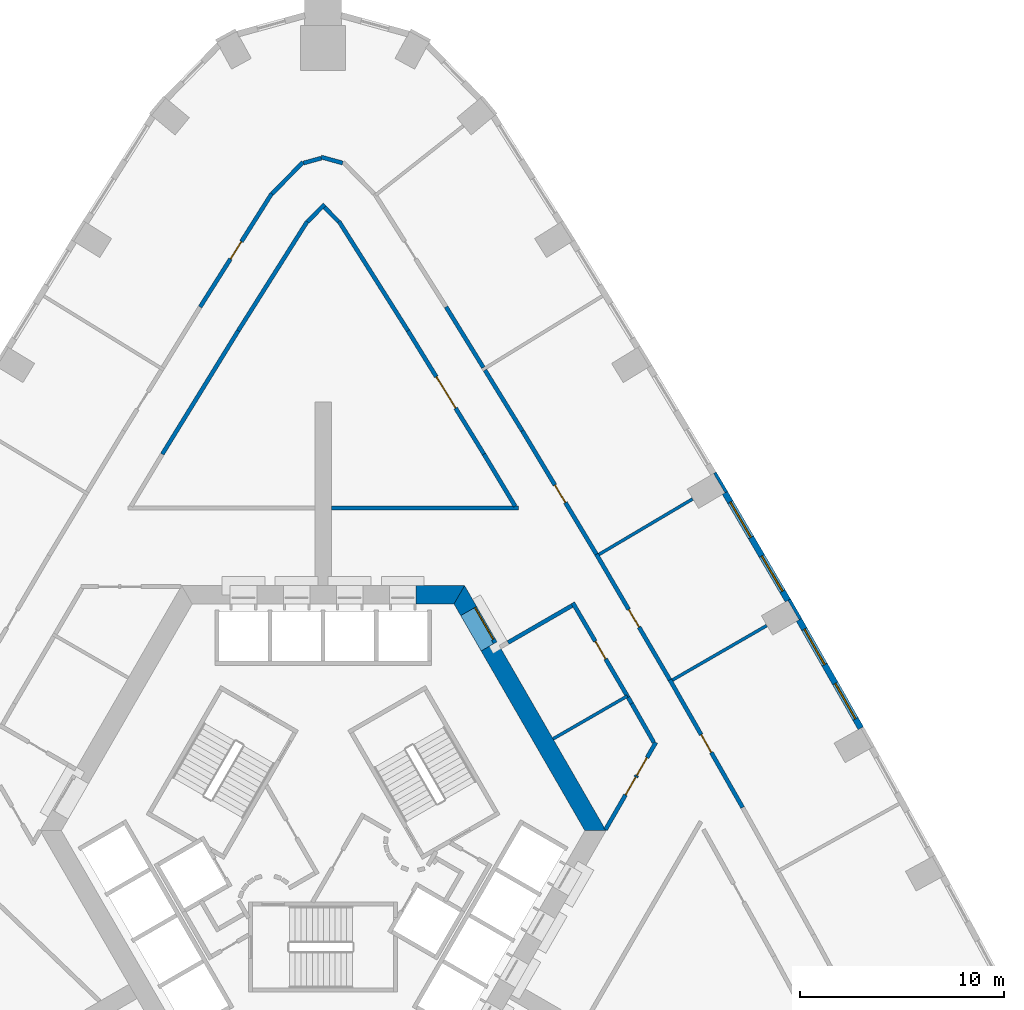
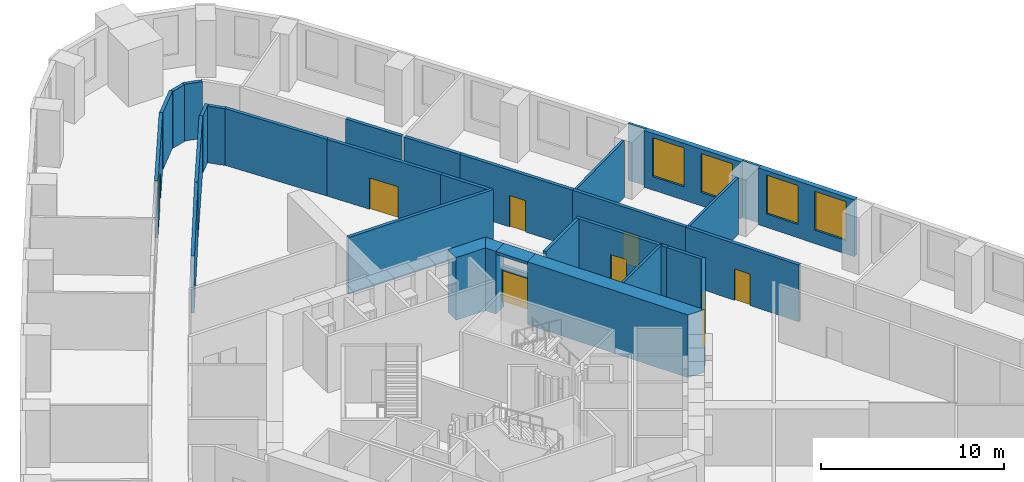
# One storey, part 10 of 14: 34 walls, 9 doors, 4 windows, 13 openings.
"""IFC4 building model written with IfcOpenShell, lengths in metres."""

from ifc_helpers import new_model, si_unit, direction, frame, frame_2d, origin, place, context, subcontext, project, spatial, polyline, rectangle, outline, extrude, material, layer, layer_set, type_object, element, fill, save


model = new_model("IFC4")

# Units and contexts
model_context = context("Model", 3, precision=1e-05, world=origin(), true_north=direction((0.0, 1.0)))
body_context = subcontext(model_context, "Body", "Model", "MODEL_VIEW")
ifc_project = project(units=[si_unit("LENGTHUNIT", "METRE"), si_unit("AREAUNIT", "SQUARE_METRE"), si_unit("VOLUMEUNIT", "CUBIC_METRE"), si_unit("PLANEANGLEUNIT", "RADIAN"), si_unit("MASSUNIT", "GRAM", prefix="KILO")], contexts=[model_context])

# Site, building, storey
site_placement = place(None, origin())
site = spatial("IfcSite", under=ifc_project, at=site_placement, CompositionType="ELEMENT")
building_placement = place(site_placement, origin())
building = spatial("IfcBuilding", under=site, at=building_placement, Name="Entoto Arch Interchange Tower", CompositionType="ELEMENT")
storey_placement = place(building_placement, frame((0.0, 0.0, 103.39990234375)))
storey = spatial("IfcBuildingStorey", under=building, at=storey_placement, Name="L22", CompositionType="ELEMENT", Elevation=103.39990234375)

# Wall, opening, door
ifc_material_1 = material(Name="Reinforced concrete C40/50", Category="concrete")
ifc_layer_1 = layer(ifc_material_1, 0.199951171875)
ifc_layer_set_1 = layer_set([ifc_layer_1], Name="Reinforced concrete C40/50")
wall_type_1 = type_object("IfcWallType", Name="CORE GAP INFILL WALL", PredefinedType="PARTITIONING", material=ifc_layer_set_1)
wall_1_placement = place(storey_placement, frame((8.429931640625, 11.697998046875, 0.0), z_axis=(0.0, 0.0, 1.0), x_axis=(-0.50002537861, 0.866010750942, 0.0)))
wall_1 = element("IfcWall", 1, at=wall_1_placement, inside=storey, type_object=wall_type_1, Name="wall:L22:gap2", PredefinedType="PARTITIONING", context=body_context, shape_type="SweptSolid", body=[
    extrude(rectangle(XDim=2.0, YDim=0.199951171875, at=frame_2d((1.0, 0.0))), origin(), (0.0, 0.0, 1.0), 2.400146484375),
])
opening_1_placement = place(wall_1_placement, frame((0.18994140625, 0.0, 0.0)))
opening_1 = element("IfcOpeningElement", 2, at=opening_1_placement, cuts=wall_1, Name="Opening L22-D92", PredefinedType="OPENING", context=body_context, shape_type="SweptSolid", body=[
    extrude(rectangle(XDim=1.800048828125, YDim=2.10009765625, at=frame_2d((0.89990234375, 1.050048828125))), frame((0.0, 0.10986328125, 0.0), z_axis=(0.0, -1.0, 0.0), x_axis=(1.0, 0.0, 0.0)), (0.0, 0.0, 1.0), 0.219970703125),
])
ifc_material_2 = material(Name="Fire-rated Steel S235 door and frame", Category="steel")
door_type_1 = type_object("IfcDoorType", Name="DOOR FD-18 1800x2100", OperationType="DOUBLE_DOOR_SINGLE_SWING", PredefinedType="DOOR", material=ifc_material_2)
door_1_placement = place(opening_1_placement, origin())
door_1 = element("IfcDoor", 3, at=door_1_placement, inside=storey, type_object=door_type_1, Name="door:L22:gap2", OperationType="DOUBLE_DOOR_SINGLE_SWING", OverallHeight=2.10009765625, OverallWidth=1.800048828125, PredefinedType="DOOR", context=body_context, shape_type="SweptSolid", body=[
    extrude(rectangle(XDim=1.800048828125, YDim=2.10009765625, at=frame_2d((0.89990234375, 1.050048828125))), frame((0.0, 0.02490234375, 0.0), z_axis=(0.0, -1.0, 0.0), x_axis=(1.0, 0.0, 0.0)), (0.0, 0.0, 1.0), 0.050048828125),
])
fill(opening_1, door_1)

# Walls
ifc_material_3 = material(Name="Concrete C60/75", Category="concrete")
ifc_layer_2 = layer(ifc_material_3, 0.89990234375)
ifc_layer_set_2 = layer_set([ifc_layer_2], Name="Concrete C60/75")
wall_type_2 = type_object("IfcWallType", Name="Core wall 900 C60/75", PredefinedType="SHEAR", material=ifc_layer_set_2)
wall_2_placement = place(storey_placement, frame((0.0, 0.0, -0.39990234375)))
element("IfcWall", 4, at=wall_2_placement, inside=storey, type_object=wall_type_2, Name="Core wall NE L22", PredefinedType="SHEAR", context=body_context, shape_type="SweptSolid", body=[
    extrude(outline(polyline([(8.51708984375, 11.748046875), (7.738037109375, 11.298095703125), (12.81689453125, 2.5), (13.85595703125, 2.5), (8.51708984375, 11.748046875)])), origin(), (0.0, 0.0, 1.0), 4.199951171875),
])
wall_3_placement = place(storey_placement, frame((0.0, 0.0, -0.39990234375)))
element("IfcWall", 5, at=wall_3_placement, inside=storey, type_object=wall_type_2, Name="Core wall NE L22", PredefinedType="SHEAR", context=body_context, shape_type="SweptSolid", body=[
    extrude(outline(polyline([(6.738037109375, 13.030029296875), (7.51708984375, 13.47998046875), (6.927978515625, 14.5), (6.408935546875, 13.60009765625), (6.738037109375, 13.030029296875)])), origin(), (0.0, 0.0, 1.0), 4.199951171875),
])
wall_4_placement = place(storey_placement, frame((0.0, 0.0, 3.60009765625)))
element("IfcWall", 6, at=wall_4_placement, inside=storey, type_object=wall_type_2, Name="Core wall lintel NE L22", PredefinedType="SHEAR", context=body_context, shape_type="SweptSolid", body=[
    extrude(outline(polyline([(7.51708984375, 13.47998046875), (6.738037109375, 13.030029296875), (7.738037109375, 11.298095703125), (8.51708984375, 11.748046875), (7.51708984375, 13.47998046875)])), origin(), (0.0, 0.0, 1.0), 0.199951171875),
])
wall_5_placement = place(storey_placement, frame((0.0, 0.0, -0.39990234375)))
element("IfcWall", 7, at=wall_5_placement, inside=storey, type_object=wall_type_2, Name="Core wall N L22", PredefinedType="SHEAR", context=body_context, shape_type="SweptSolid", body=[
    extrude(outline(polyline([(4.550048828125, 14.5), (4.550048828125, 13.60009765625), (6.408935546875, 13.60009765625), (6.927978515625, 14.5), (4.550048828125, 14.5)])), origin(), (0.0, 0.0, 1.0), 4.199951171875),
])
ifc_material_4 = material(Name="Gypsum board partition on steel studs", Category="steel")
ifc_layer_3 = layer(ifc_material_4, 0.14990234375)
ifc_layer_set_3 = layer_set([ifc_layer_3], Name="Gypsum board partition on steel studs")
wall_type_3 = type_object("IfcWallType", Name="PARTITION 150", PredefinedType="PARTITIONING", material=ifc_layer_set_3)
wall_6_placement = place(storey_placement, frame((11.260986328125, 6.993896484375, 0.0), z_axis=(0.0, 0.0, 1.0), x_axis=(0.866037428454, 0.499979172084, 0.0)))
element("IfcWall", 8, at=wall_6_placement, inside=storey, type_object=wall_type_3, Name="wall:L22:p097", PredefinedType="PARTITIONING", context=body_context, shape_type="SweptSolid", body=[
    extrude(rectangle(XDim=4.198486328125, YDim=0.14990234375, at=frame_2d((2.09912109375, 0.0))), origin(), (0.0, 0.0, 1.0), 3.800048828125),
])
wall_7_placement = place(storey_placement, frame((17.10400390625, 9.875, 0.0), z_axis=(0.0, 0.0, 1.0), x_axis=(0.866024640963, 0.500001321243, 0.0)))
element("IfcWall", 9, at=wall_7_placement, inside=storey, type_object=wall_type_3, Name="wall:L22:p142", PredefinedType="PARTITIONING", context=body_context, shape_type="SweptSolid", body=[
    extrude(rectangle(XDim=5.330078125, YDim=0.14990234375, at=frame_2d((2.6650390625, 0.0))), origin(), (0.0, 0.0, 1.0), 3.800048828125),
])
wall_8_placement = place(storey_placement, frame((13.507080078125, 16.02490234375, 0.0), z_axis=(0.0, 0.0, 1.0), x_axis=(0.860289301319, 0.509806157315, 0.0)))
element("IfcWall", 10, at=wall_8_placement, inside=storey, type_object=wall_type_3, Name="wall:L22:p143", PredefinedType="PARTITIONING", context=body_context, shape_type="SweptSolid", body=[
    extrude(rectangle(XDim=5.32958984375, YDim=0.14990234375, at=frame_2d((2.664794921875, 0.0))), origin(), (0.0, 0.0, 1.0), 3.800048828125),
])
ifc_layer_4 = layer(ifc_material_4, 0.199951171875)
ifc_layer_set_4 = layer_set([ifc_layer_4], Name="Gypsum board partition on steel studs")
wall_type_4 = type_object("IfcWallType", Name="PARTITION 200", PredefinedType="PARTITIONING", material=ifc_layer_set_4)
wall_9_placement = place(storey_placement, frame((16.195068359375, 6.823974609375, 0.0), z_axis=(0.0, 0.0, 1.0), x_axis=(-0.494984897559, 0.868901577388, 0.0)))
element("IfcWall", 11, at=wall_9_placement, inside=storey, type_object=wall_type_4, Name="wall:L22:p005", PredefinedType="PARTITIONING", context=body_context, shape_type="SweptSolid", body=[
    extrude(rectangle(XDim=2.18798828125, YDim=0.199951171875, at=frame_2d((1.093994140625, 0.0))), origin(), (0.0, 0.0, 1.0), 3.800048828125),
])
wall_10_placement = place(storey_placement, frame((15.112060546875, 8.72509765625, 0.0), z_axis=(0.0, 0.0, 1.0), x_axis=(-0.50443330283, 0.86345066043, 0.0)))
element("IfcWall", 12, at=wall_10_placement, inside=storey, type_object=wall_type_4, Name="wall:L22:p006", PredefinedType="PARTITIONING", context=body_context, shape_type="SweptSolid", body=[
    extrude(rectangle(XDim=0.350830078125, YDim=0.199951171875, at=frame_2d((0.17529296875, 0.0))), origin(), (0.0, 0.0, 1.0), 3.800048828125),
])

# Wall, opening, door
wall_11_placement = place(storey_placement, frame((14.93505859375, 9.028076171875, 0.0), z_axis=(0.0, 0.0, 1.0), x_axis=(-0.504934493304, 0.863157666636, 0.0)))
wall_11 = element("IfcWall", 13, at=wall_11_placement, inside=storey, type_object=wall_type_4, Name="wall:L22:p007", PredefinedType="PARTITIONING", context=body_context, shape_type="SweptSolid", body=[
    extrude(rectangle(XDim=5.364990234375, YDim=0.199951171875, at=frame_2d((2.6826171875, 0.0))), origin(), (0.0, 0.0, 1.0), 3.800048828125),
])
opening_2_placement = place(wall_11_placement, frame((2.181884765625, 0.0, 0.0)))
opening_2 = element("IfcOpeningElement", 14, at=opening_2_placement, cuts=wall_11, Name="Opening L22-D35", PredefinedType="OPENING", context=body_context, shape_type="SweptSolid", body=[
    extrude(rectangle(XDim=1.0, YDim=2.10009765625, at=frame_2d((0.5, 1.050048828125))), frame((0.0, 0.10986328125, 0.0), z_axis=(0.0, -1.0, 0.0), x_axis=(1.0, 0.0, 0.0)), (0.0, 0.0, 1.0), 0.219970703125),
])
ifc_material_5 = material(Name="Timber door leaf in Steel S235 frame", Category="steel")
door_type_2 = type_object("IfcDoorType", Name="DOOR DS-10 1000x2100", OperationType="SINGLE_SWING_LEFT", PredefinedType="DOOR", material=ifc_material_5)
door_2_placement = place(opening_2_placement, origin())
door_2 = element("IfcDoor", 15, at=door_2_placement, inside=storey, type_object=door_type_2, Name="door:L22:35", OperationType="SINGLE_SWING_LEFT", OverallHeight=2.10009765625, OverallWidth=1.0, PredefinedType="DOOR", context=body_context, shape_type="SweptSolid", body=[
    extrude(rectangle(XDim=1.0, YDim=2.10009765625, at=frame_2d((0.5, 1.050048828125))), frame((0.0, 0.02490234375, 0.0), z_axis=(0.0, -1.0, 0.0), x_axis=(1.0, 0.0, 0.0)), (0.0, 0.0, 1.0), 0.050048828125),
])
fill(opening_2, door_2)

# Walls
wall_12_placement = place(storey_placement, frame((12.18994140625, 13.52197265625, 0.0), z_axis=(0.0, 0.0, 1.0), x_axis=(-0.866000156139, -0.500043727655, 0.0)))
element("IfcWall", 16, at=wall_12_placement, inside=storey, type_object=wall_type_4, Name="wall:L22:p008", PredefinedType="PARTITIONING", context=body_context, shape_type="SweptSolid", body=[
    extrude(rectangle(XDim=3.617919921875, YDim=0.199951171875, at=frame_2d((1.80908203125, 0.0))), origin(), (0.0, 0.0, 1.0), 3.800048828125),
])
wall_13_placement = place(storey_placement, frame((9.406982421875, 18.385986328125, 0.0), z_axis=(0.0, 0.0, 1.0), x_axis=(-0.514399309837, 0.857550785691, 0.0)))
element("IfcWall", 17, at=wall_13_placement, inside=storey, type_object=wall_type_4, Name="wall:L22:p009", PredefinedType="PARTITIONING", context=body_context, shape_type="SweptSolid", body=[
    extrude(rectangle(XDim=2.978271484375, YDim=0.199951171875, at=frame_2d((1.4892578125, 0.0))), origin(), (0.0, 0.0, 1.0), 3.800048828125),
])

# Wall, opening, door
wall_14_placement = place(storey_placement, frame((7.875, 20.93994140625, 0.0), z_axis=(0.0, 0.0, 1.0), x_axis=(-0.524183774504, 0.851605172921, 0.0)))
wall_14 = element("IfcWall", 18, at=wall_14_placement, inside=storey, type_object=wall_type_4, Name="wall:L22:p010", PredefinedType="PARTITIONING", context=body_context, shape_type="SweptSolid", body=[
    extrude(rectangle(XDim=7.0986328125, YDim=0.199951171875, at=frame_2d((3.54931640625, 0.0))), origin(), (0.0, 0.0, 1.0), 3.800048828125),
])
opening_3_placement = place(wall_14_placement, frame((2.64892578125, 0.0, 0.0)))
opening_3 = element("IfcOpeningElement", 19, at=opening_3_placement, cuts=wall_14, Name="Opening L22-D25", PredefinedType="OPENING", context=body_context, shape_type="SweptSolid", body=[
    extrude(rectangle(XDim=1.800048828125, YDim=2.10009765625, at=frame_2d((0.89990234375, 1.050048828125))), frame((0.0, 0.10986328125, 0.0), z_axis=(0.0, -1.0, 0.0), x_axis=(1.0, 0.0, 0.0)), (0.0, 0.0, 1.0), 0.219970703125),
])
door_type_3 = type_object("IfcDoorType", Name="DOOR DD-18 1800x2100", OperationType="DOUBLE_DOOR_SINGLE_SWING", PredefinedType="DOOR", material=ifc_material_5)
door_3_placement = place(opening_3_placement, origin())
door_3 = element("IfcDoor", 20, at=door_3_placement, inside=storey, type_object=door_type_3, Name="door:L22:25", OperationType="DOUBLE_DOOR_SINGLE_SWING", OverallHeight=2.10009765625, OverallWidth=1.800048828125, PredefinedType="DOOR", context=body_context, shape_type="SweptSolid", body=[
    extrude(rectangle(XDim=1.800048828125, YDim=2.10009765625, at=frame_2d((0.89990234375, 1.050048828125))), frame((0.0, 0.02490234375, 0.0), z_axis=(0.0, -1.0, 0.0), x_axis=(1.0, 0.0, 0.0)), (0.0, 0.0, 1.0), 0.050048828125),
])
fill(opening_3, door_3)

# Walls
wall_15_placement = place(storey_placement, frame((4.154052734375, 26.985107421875, 0.0), z_axis=(0.0, 0.0, 1.0), x_axis=(-0.53384777413, 0.84558060175, 0.0)))
element("IfcWall", 21, at=wall_15_placement, inside=storey, type_object=wall_type_4, Name="wall:L22:p011", PredefinedType="PARTITIONING", context=body_context, shape_type="SweptSolid", body=[
    extrude(rectangle(XDim=6.32568359375, YDim=0.199951171875, at=frame_2d((3.162841796875, 0.0))), origin(), (0.0, 0.0, 1.0), 3.800048828125),
])
wall_16_placement = place(storey_placement, frame((0.760009765625, 32.321044921875, 0.0), z_axis=(0.0, 0.0, 1.0), x_axis=(-0.698898447714, 0.715220916769, 0.0)))
element("IfcWall", 22, at=wall_16_placement, inside=storey, type_object=wall_type_4, Name="wall:L22:p012", PredefinedType="PARTITIONING", context=body_context, shape_type="SweptSolid", body=[
    extrude(rectangle(XDim=0.9873046875, YDim=0.199951171875, at=frame_2d((0.49365234375, 0.0))), origin(), (0.0, 0.0, 1.0), 3.800048828125),
])
wall_17_placement = place(storey_placement, frame((0.070068359375, 33.169921875, 0.0), z_axis=(0.0, 0.0, 1.0), x_axis=(-0.699145664909, -0.714979257908, 0.0)))
element("IfcWall", 23, at=wall_17_placement, inside=storey, type_object=wall_type_4, Name="wall:L22:p013", PredefinedType="PARTITIONING", context=body_context, shape_type="SweptSolid", body=[
    extrude(rectangle(XDim=1.187255859375, YDim=0.199951171875, at=frame_2d((0.59375, 0.0))), origin(), (0.0, 0.0, 1.0), 3.800048828125),
])
wall_18_placement = place(storey_placement, frame((-0.777099609375, 32.333984375, 0.0), z_axis=(0.0, 0.0, 1.0), x_axis=(-0.53384777413, -0.84558060175, 0.0)))
element("IfcWall", 24, at=wall_18_placement, inside=storey, type_object=wall_type_4, Name="wall:L22:p014", PredefinedType="PARTITIONING", context=body_context, shape_type="SweptSolid", body=[
    extrude(rectangle(XDim=6.32568359375, YDim=0.199951171875, at=frame_2d((3.162841796875, 0.0))), origin(), (0.0, 0.0, 1.0), 3.800048828125),
])
wall_19_placement = place(storey_placement, frame((-4.154052734375, 26.985107421875, 0.0), z_axis=(0.0, 0.0, 1.0), x_axis=(-0.524183774504, -0.851605172921, 0.0)))
element("IfcWall", 25, at=wall_19_placement, inside=storey, type_object=wall_type_4, Name="wall:L22:p015", PredefinedType="PARTITIONING", context=body_context, shape_type="SweptSolid", body=[
    extrude(rectangle(XDim=7.0986328125, YDim=0.199951171875, at=frame_2d((3.54931640625, 0.0))), origin(), (0.0, 0.0, 1.0), 3.800048828125),
])

# Wall, opening, door
wall_20_placement = place(storey_placement, frame((16.97998046875, 9.889892578125, 0.0), z_axis=(0.0, 0.0, 1.0), x_axis=(0.495123170501, -0.868822793228, 0.0)))
wall_20 = element("IfcWall", 26, at=wall_20_placement, inside=storey, type_object=wall_type_4, Name="wall:L22:p052", PredefinedType="PARTITIONING", context=body_context, shape_type="SweptSolid", body=[
    extrude(rectangle(XDim=7.1982421875, YDim=0.199951171875, at=frame_2d((3.59912109375, 0.0))), origin(), (0.0, 0.0, 1.0), 3.800048828125),
])
opening_4_placement = place(wall_20_placement, frame((3.09912109375, 0.0, 0.0)))
opening_4 = element("IfcOpeningElement", 27, at=opening_4_placement, cuts=wall_20, Name="Opening L22-D06", PredefinedType="OPENING", context=body_context, shape_type="SweptSolid", body=[
    extrude(rectangle(XDim=1.0, YDim=2.10009765625, at=frame_2d((0.5, 1.050048828125))), frame((0.0, 0.10986328125, 0.0), z_axis=(0.0, -1.0, 0.0), x_axis=(1.0, 0.0, 0.0)), (0.0, 0.0, 1.0), 0.219970703125),
])
door_4_placement = place(opening_4_placement, origin())
door_4 = element("IfcDoor", 28, at=door_4_placement, inside=storey, type_object=door_type_2, Name="door:L22:06", OperationType="SINGLE_SWING_LEFT", OverallHeight=2.10009765625, OverallWidth=1.0, PredefinedType="DOOR", context=body_context, shape_type="SweptSolid", body=[
    extrude(rectangle(XDim=1.0, YDim=2.10009765625, at=frame_2d((0.5, 1.050048828125))), frame((0.0, 0.02490234375, 0.0), z_axis=(0.0, -1.0, 0.0), x_axis=(1.0, 0.0, 0.0)), (0.0, 0.0, 1.0), 0.050048828125),
])
fill(opening_4, door_4)

wall_21_placement = place(storey_placement, frame((13.383056640625, 16.0390625, 0.0), z_axis=(0.0, 0.0, 1.0), x_axis=(0.504806221623, -0.863232690884, 0.0)))
wall_21 = element("IfcWall", 29, at=wall_21_placement, inside=storey, type_object=wall_type_4, Name="wall:L22:p054", PredefinedType="PARTITIONING", context=body_context, shape_type="SweptSolid", body=[
    extrude(rectangle(XDim=7.12353515625, YDim=0.199951171875, at=frame_2d((3.561767578125, 0.0))), origin(), (0.0, 0.0, 1.0), 3.800048828125),
])
opening_5_placement = place(wall_21_placement, frame((3.136962890625, 0.0, 0.0)))
opening_5 = element("IfcOpeningElement", 30, at=opening_5_placement, cuts=wall_21, Name="Opening L22-D07", PredefinedType="OPENING", context=body_context, shape_type="SweptSolid", body=[
    extrude(rectangle(XDim=1.0, YDim=2.10009765625, at=frame_2d((0.5, 1.050048828125))), frame((0.0, 0.10986328125, 0.0), z_axis=(0.0, -1.0, 0.0), x_axis=(1.0, 0.0, 0.0)), (0.0, 0.0, 1.0), 0.219970703125),
])
door_5_placement = place(opening_5_placement, origin())
door_5 = element("IfcDoor", 31, at=door_5_placement, inside=storey, type_object=door_type_2, Name="door:L22:07", OperationType="SINGLE_SWING_LEFT", OverallHeight=2.10009765625, OverallWidth=1.0, PredefinedType="DOOR", context=body_context, shape_type="SweptSolid", body=[
    extrude(rectangle(XDim=1.0, YDim=2.10009765625, at=frame_2d((0.5, 1.050048828125))), frame((0.0, 0.02490234375, 0.0), z_axis=(0.0, -1.0, 0.0), x_axis=(1.0, 0.0, 0.0)), (0.0, 0.0, 1.0), 0.050048828125),
])
fill(opening_5, door_5)

# Wall
wall_22_placement = place(storey_placement, frame((7.927001953125, 25.052001953125, 0.0), z_axis=(0.0, 0.0, 1.0), x_axis=(0.524140390501, -0.851631875311, 0.0)))
element("IfcWall", 32, at=wall_22_placement, inside=storey, type_object=wall_type_4, Name="wall:L22:p055", PredefinedType="PARTITIONING", context=body_context, shape_type="SweptSolid", body=[
    extrude(rectangle(XDim=3.4873046875, YDim=0.199951171875, at=frame_2d((1.74365234375, 0.0))), origin(), (0.0, 0.0, 1.0), 3.800048828125),
])

# Wall, opening, door
wall_23_placement = place(storey_placement, frame((9.7548828125, 22.08203125, 0.0), z_axis=(0.0, 0.0, 1.0), x_axis=(0.514582342012, -0.857440967816, 0.0)))
wall_23 = element("IfcWall", 33, at=wall_23_placement, inside=storey, type_object=wall_type_4, Name="wall:L22:p056", PredefinedType="PARTITIONING", context=body_context, shape_type="SweptSolid", body=[
    extrude(rectangle(XDim=7.048828125, YDim=0.199951171875, at=frame_2d((3.5244140625, 0.0))), origin(), (0.0, 0.0, 1.0), 3.800048828125),
])
opening_6_placement = place(wall_23_placement, frame((3.10009765625, 0.0, 0.0)))
opening_6 = element("IfcOpeningElement", 34, at=opening_6_placement, cuts=wall_23, Name="Opening L22-D08", PredefinedType="OPENING", context=body_context, shape_type="SweptSolid", body=[
    extrude(rectangle(XDim=1.0, YDim=2.10009765625, at=frame_2d((0.5, 1.050048828125))), frame((0.0, 0.10986328125, 0.0), z_axis=(0.0, -1.0, 0.0), x_axis=(1.0, 0.0, 0.0)), (0.0, 0.0, 1.0), 0.219970703125),
])
door_6_placement = place(opening_6_placement, origin())
door_6 = element("IfcDoor", 35, at=door_6_placement, inside=storey, type_object=door_type_2, Name="door:L22:08", OperationType="SINGLE_SWING_LEFT", OverallHeight=2.10009765625, OverallWidth=1.0, PredefinedType="DOOR", context=body_context, shape_type="SweptSolid", body=[
    extrude(rectangle(XDim=1.0, YDim=2.10009765625, at=frame_2d((0.5, 1.050048828125))), frame((0.0, 0.02490234375, 0.0), z_axis=(0.0, -1.0, 0.0), x_axis=(1.0, 0.0, 0.0)), (0.0, 0.0, 1.0), 0.050048828125),
])
fill(opening_6, door_6)

# Wall
wall_24_placement = place(storey_placement, frame((6.02099609375, 28.14892578125, 0.0), z_axis=(0.0, 0.0, 1.0), x_axis=(0.524062258075, -0.851679957297, 0.0)))
element("IfcWall", 36, at=wall_24_placement, inside=storey, type_object=wall_type_4, Name="wall:L22:p058", PredefinedType="PARTITIONING", context=body_context, shape_type="SweptSolid", body=[
    extrude(rectangle(XDim=3.486083984375, YDim=0.199951171875, at=frame_2d((1.7431640625, 0.0))), origin(), (0.0, 0.0, 1.0), 3.800048828125),
])

# Wall, opening, door
wall_25_placement = place(storey_placement, frame((-6.02099609375, 28.14892578125, 0.0), z_axis=(0.0, 0.0, 1.0), x_axis=(0.533874165031, 0.845563939577, 0.0)))
wall_25 = element("IfcWall", 37, at=wall_25_placement, inside=storey, type_object=wall_type_4, Name="wall:L22:p060", PredefinedType="PARTITIONING", context=body_context, shape_type="SweptSolid", body=[
    extrude(rectangle(XDim=6.571044921875, YDim=0.199951171875, at=frame_2d((3.28564453125, 0.0))), origin(), (0.0, 0.0, 1.0), 3.800048828125),
])
opening_7_placement = place(wall_25_placement, frame((2.784912109375, 0.0, 0.0)))
opening_7 = element("IfcOpeningElement", 38, at=opening_7_placement, cuts=wall_25, Name="Opening L22-D10", PredefinedType="OPENING", context=body_context, shape_type="SweptSolid", body=[
    extrude(rectangle(XDim=1.0, YDim=2.10009765625, at=frame_2d((0.5, 1.050048828125))), frame((0.0, 0.10986328125, 0.0), z_axis=(0.0, -1.0, 0.0), x_axis=(1.0, 0.0, 0.0)), (0.0, 0.0, 1.0), 0.219970703125),
])
door_7_placement = place(opening_7_placement, origin())
door_7 = element("IfcDoor", 39, at=door_7_placement, inside=storey, type_object=door_type_2, Name="door:L22:10", OperationType="SINGLE_SWING_LEFT", OverallHeight=2.10009765625, OverallWidth=1.0, PredefinedType="DOOR", context=body_context, shape_type="SweptSolid", body=[
    extrude(rectangle(XDim=1.0, YDim=2.10009765625, at=frame_2d((0.5, 1.050048828125))), frame((0.0, 0.02490234375, 0.0), z_axis=(0.0, -1.0, 0.0), x_axis=(1.0, 0.0, 0.0)), (0.0, 0.0, 1.0), 0.050048828125),
])
fill(opening_7, door_7)

# Walls
wall_26_placement = place(storey_placement, frame((-2.49609375, 33.69189453125, 0.0), z_axis=(0.0, 0.0, 1.0), x_axis=(0.698771726105, 0.715344724449, 0.0)))
element("IfcWall", 40, at=wall_26_placement, inside=storey, type_object=wall_type_4, Name="wall:L22:p061", PredefinedType="PARTITIONING", context=body_context, shape_type="SweptSolid", body=[
    extrude(rectangle(XDim=2.16552734375, YDim=0.199951171875, at=frame_2d((1.082763671875, 0.0))), origin(), (0.0, 0.0, 1.0), 3.800048828125),
])
wall_27_placement = place(storey_placement, frame((-0.9560546875, 35.196044921875, 0.0), z_axis=(0.0, 0.0, 1.0), x_axis=(0.963772226389, 0.266726630919, 0.0)))
element("IfcWall", 41, at=wall_27_placement, inside=storey, type_object=wall_type_4, Name="wall:L22:p062", PredefinedType="PARTITIONING", context=body_context, shape_type="SweptSolid", body=[
    extrude(rectangle(XDim=0.892333984375, YDim=0.199951171875, at=frame_2d((0.4462890625, 0.0))), origin(), (0.0, 0.0, 1.0), 3.800048828125),
])
wall_28_placement = place(storey_placement, frame((-0.095947265625, 35.487060546875, 0.0), z_axis=(0.0, 0.0, 1.0), x_axis=(0.963802560401, -0.266616999767, 0.0)))
element("IfcWall", 42, at=wall_28_placement, inside=storey, type_object=wall_type_4, Name="wall:L22:p063", PredefinedType="PARTITIONING", context=body_context, shape_type="SweptSolid", body=[
    extrude(rectangle(XDim=1.091552734375, YDim=0.199951171875, at=frame_2d((0.5458984375, 0.0))), origin(), (0.0, 0.0, 1.0), 3.800048828125),
])

# Wall, openings, doors
wall_29_placement = place(storey_placement, frame((13.826904296875, 2.550048828125, 0.0), z_axis=(0.0, 0.0, 1.0), x_axis=(0.500070719615, 0.865984569946, 0.0)))
wall_29 = element("IfcWall", 43, at=wall_29_placement, inside=storey, type_object=wall_type_4, Name="wall:L22:p098", PredefinedType="PARTITIONING", context=body_context, shape_type="SweptSolid", body=[
    extrude(rectangle(XDim=4.935302734375, YDim=0.199951171875, at=frame_2d((2.4677734375, 0.0))), origin(), (0.0, 0.0, 1.0), 3.800048828125),
])
opening_8_placement = place(wall_29_placement, frame((1.968017578125, 0.0, 0.0)))
opening_8 = element("IfcOpeningElement", 44, at=opening_8_placement, cuts=wall_29, Name="Opening L22-D34", PredefinedType="OPENING", context=body_context, shape_type="SweptSolid", body=[
    extrude(rectangle(XDim=1.0, YDim=2.10009765625, at=frame_2d((0.5, 1.050048828125))), frame((0.0, 0.10986328125, 0.0), z_axis=(0.0, -1.0, 0.0), x_axis=(1.0, 0.0, 0.0)), (0.0, 0.0, 1.0), 0.219970703125),
])
opening_9_placement = place(wall_29_placement, frame((3.068115234375, 0.0, 0.0)))
opening_9 = element("IfcOpeningElement", 45, at=opening_9_placement, cuts=wall_29, Name="Opening L22-D41", PredefinedType="OPENING", context=body_context, shape_type="SweptSolid", body=[
    extrude(rectangle(XDim=1.0, YDim=2.10009765625, at=frame_2d((0.5, 1.050048828125))), frame((0.0, 0.10986328125, 0.0), z_axis=(0.0, -1.0, 0.0), x_axis=(1.0, 0.0, 0.0)), (0.0, 0.0, 1.0), 0.219970703125),
])
door_8_placement = place(opening_8_placement, origin())
door_8 = element("IfcDoor", 46, at=door_8_placement, inside=storey, type_object=door_type_2, Name="door:L22:34", OperationType="SINGLE_SWING_LEFT", OverallHeight=2.10009765625, OverallWidth=1.0, PredefinedType="DOOR", context=body_context, shape_type="SweptSolid", body=[
    extrude(rectangle(XDim=1.0, YDim=2.10009765625, at=frame_2d((0.5, 1.050048828125))), frame((0.0, 0.02490234375, 0.0), z_axis=(0.0, -1.0, 0.0), x_axis=(1.0, 0.0, 0.0)), (0.0, 0.0, 1.0), 0.050048828125),
])
fill(opening_8, door_8)
door_9_placement = place(opening_9_placement, origin())
door_9 = element("IfcDoor", 47, at=door_9_placement, inside=storey, type_object=door_type_2, Name="door:L22:41", OperationType="SINGLE_SWING_RIGHT", OverallHeight=2.10009765625, OverallWidth=1.0, PredefinedType="DOOR", context=body_context, shape_type="SweptSolid", body=[
    extrude(rectangle(XDim=1.0, YDim=2.10009765625, at=frame_2d((0.5, 1.050048828125))), frame((0.0, 0.02490234375, 0.0), z_axis=(0.0, -1.0, 0.0), x_axis=(1.0, 0.0, 0.0)), (0.0, 0.0, 1.0), 0.050048828125),
])
fill(opening_9, door_9)

# Wall
wall_30_placement = place(storey_placement, frame((0.39990234375, 18.300048828125, 0.0), z_axis=(0.0, 0.0, 1.0), x_axis=(1.0, 0.0, 0.0)))
element("IfcWall", 48, at=wall_30_placement, inside=storey, type_object=wall_type_4, Name="wall:L22:p120", PredefinedType="PARTITIONING", context=body_context, shape_type="SweptSolid", body=[
    extrude(rectangle(XDim=9.1591796875, YDim=0.199951171875, at=frame_2d((4.57958984375, 0.0))), origin(), (0.0, 0.0, 1.0), 3.800048828125),
])

# Wall, openings, windows
ifc_material_6 = material(Name="Welded tuff (ignimbrite) cladding, warm buff", Category="masonry")
ifc_layer_5 = layer(ifc_material_6, 0.300048828125)
ifc_layer_set_5 = layer_set([ifc_layer_5], Name="Welded tuff (ignimbrite) cladding, warm buff")
wall_type_5 = type_object("IfcWallType", Name="STONE INFILL WALL 300", PredefinedType="STANDARD", material=ifc_layer_set_5)
wall_31_placement = place(storey_placement, frame((26.330078125, 7.52001953125, 0.0), z_axis=(0.0, 0.0, 1.0), x_axis=(-0.495113375427, 0.868828375154, 0.0)))
wall_31 = element("IfcWall", 49, at=wall_31_placement, inside=storey, type_object=wall_type_5, Name="Facade wall NE-04 L22", PredefinedType="STANDARD", context=body_context, shape_type="SweptSolid", body=[
    extrude(rectangle(XDim=6.103515625, YDim=0.300048828125, at=frame_2d((3.0517578125, 0.0))), origin(), (0.0, 0.0, 1.0), 3.800048828125),
])
opening_10_placement = place(wall_31_placement, frame((0.52587890625, 0.0, 0.89990234375)))
opening_10 = element("IfcOpeningElement", 50, at=opening_10_placement, cuts=wall_31, Name="Opening WO-C", PredefinedType="OPENING", context=body_context, shape_type="SweptSolid", body=[
    extrude(rectangle(XDim=2.0, YDim=2.60009765625, at=frame_2d((1.0, 1.300048828125))), frame((0.0, 0.16015625, 0.0), z_axis=(0.0, -1.0, 0.0), x_axis=(1.0, 0.0, 0.0)), (0.0, 0.0, 1.0), 0.320068359375),
])
opening_11_placement = place(wall_31_placement, frame((3.577880859375, 0.0, 0.89990234375)))
opening_11 = element("IfcOpeningElement", 51, at=opening_11_placement, cuts=wall_31, Name="Opening WO-C", PredefinedType="OPENING", context=body_context, shape_type="SweptSolid", body=[
    extrude(rectangle(XDim=2.0, YDim=2.60009765625, at=frame_2d((1.0, 1.300048828125))), frame((0.0, 0.16015625, 0.0), z_axis=(0.0, -1.0, 0.0), x_axis=(1.0, 0.0, 0.0)), (0.0, 0.0, 1.0), 0.320068359375),
])
ifc_material_7 = material(Name="Clear glass, low-e double glazed", Category="glass")
window_type = type_object("IfcWindowType", Name="WINDOW WO-C 2000x2600", PartitioningType="DOUBLE_PANEL_VERTICAL", PredefinedType="WINDOW", material=ifc_material_7)
window_1_placement = place(opening_10_placement, origin())
window_1 = element("IfcWindow", 52, at=window_1_placement, inside=storey, type_object=window_type, Name="Window WO-C NE-04 L22", OverallHeight=2.60009765625, OverallWidth=2.0, PartitioningType="SINGLE_PANEL", PredefinedType="WINDOW", context=body_context, shape_type="SweptSolid", body=[
    extrude(rectangle(XDim=2.0, YDim=2.60009765625, at=frame_2d((1.0, 1.300048828125))), frame((0.0, 0.030029296875, 0.0), z_axis=(0.0, -1.0, 0.0), x_axis=(1.0, 0.0, 0.0)), (0.0, 0.0, 1.0), 0.06005859375),
])
fill(opening_10, window_1)
window_2_placement = place(opening_11_placement, origin())
window_2 = element("IfcWindow", 53, at=window_2_placement, inside=storey, type_object=window_type, Name="Window WO-C NE-04 L22", OverallHeight=2.60009765625, OverallWidth=2.0, PartitioningType="SINGLE_PANEL", PredefinedType="WINDOW", context=body_context, shape_type="SweptSolid", body=[
    extrude(rectangle(XDim=2.0, YDim=2.60009765625, at=frame_2d((1.0, 1.300048828125))), frame((0.0, 0.030029296875, 0.0), z_axis=(0.0, -1.0, 0.0), x_axis=(1.0, 0.0, 0.0)), (0.0, 0.0, 1.0), 0.06005859375),
])
fill(opening_11, window_2)

wall_32_placement = place(storey_placement, frame((22.759033203125, 13.77392578125, 0.0), z_axis=(0.0, 0.0, 1.0), x_axis=(-0.50490018297, 0.863177736759, 0.0)))
wall_32 = element("IfcWall", 54, at=wall_32_placement, inside=storey, type_object=wall_type_5, Name="Facade wall NE-05 L22", PredefinedType="STANDARD", context=body_context, shape_type="SweptSolid", body=[
    extrude(rectangle(XDim=6.104248046875, YDim=0.300048828125, at=frame_2d((3.05224609375, 0.0))), origin(), (0.0, 0.0, 1.0), 3.800048828125),
])
opening_12_placement = place(wall_32_placement, frame((0.52587890625, 0.0, 0.89990234375)))
opening_12 = element("IfcOpeningElement", 55, at=opening_12_placement, cuts=wall_32, Name="Opening WO-C", PredefinedType="OPENING", context=body_context, shape_type="SweptSolid", body=[
    extrude(rectangle(XDim=2.0, YDim=2.60009765625, at=frame_2d((1.0, 1.300048828125))), frame((0.0, 0.16015625, 0.0), z_axis=(0.0, -1.0, 0.0), x_axis=(1.0, 0.0, 0.0)), (0.0, 0.0, 1.0), 0.320068359375),
])
opening_13_placement = place(wall_32_placement, frame((3.577880859375, 0.0, 0.89990234375)))
opening_13 = element("IfcOpeningElement", 56, at=opening_13_placement, cuts=wall_32, Name="Opening WO-C", PredefinedType="OPENING", context=body_context, shape_type="SweptSolid", body=[
    extrude(rectangle(XDim=2.0, YDim=2.60009765625, at=frame_2d((1.0, 1.300048828125))), frame((0.0, 0.16015625, 0.0), z_axis=(0.0, -1.0, 0.0), x_axis=(1.0, 0.0, 0.0)), (0.0, 0.0, 1.0), 0.320068359375),
])
window_3_placement = place(opening_12_placement, origin())
window_3 = element("IfcWindow", 57, at=window_3_placement, inside=storey, type_object=window_type, Name="Window WO-C NE-05 L22", OverallHeight=2.60009765625, OverallWidth=2.0, PartitioningType="SINGLE_PANEL", PredefinedType="WINDOW", context=body_context, shape_type="SweptSolid", body=[
    extrude(rectangle(XDim=2.0, YDim=2.60009765625, at=frame_2d((1.0, 1.300048828125))), frame((0.0, 0.030029296875, 0.0), z_axis=(0.0, -1.0, 0.0), x_axis=(1.0, 0.0, 0.0)), (0.0, 0.0, 1.0), 0.06005859375),
])
fill(opening_12, window_3)
window_4_placement = place(opening_13_placement, origin())
window_4 = element("IfcWindow", 58, at=window_4_placement, inside=storey, type_object=window_type, Name="Window WO-C NE-05 L22", OverallHeight=2.60009765625, OverallWidth=2.0, PartitioningType="SINGLE_PANEL", PredefinedType="WINDOW", context=body_context, shape_type="SweptSolid", body=[
    extrude(rectangle(XDim=2.0, YDim=2.60009765625, at=frame_2d((1.0, 1.300048828125))), frame((0.0, 0.030029296875, 0.0), z_axis=(0.0, -1.0, 0.0), x_axis=(1.0, 0.0, 0.0)), (0.0, 0.0, 1.0), 0.06005859375),
])
fill(opening_13, window_4)

# Walls
ifc_layer_6 = layer(ifc_material_6, 0.14990234375)
ifc_layer_set_6 = layer_set([ifc_layer_6], Name="Welded tuff (ignimbrite) cladding, warm buff")
wall_type_6 = type_object("IfcWallType", Name="STONE PIER CLADDING 150", PredefinedType="STANDARD", material=ifc_layer_set_6)
wall_33_placement = place(storey_placement, frame((23.3759765625, 12.861083984375, 0.0), z_axis=(0.0, 0.0, 1.0), x_axis=(-0.499933745558, 0.866063652425, 0.0)))
element("IfcWall", 59, at=wall_33_placement, inside=storey, type_object=wall_type_6, Name="Stone pier NE05 L22", PredefinedType="STANDARD", context=body_context, shape_type="SweptSolid", body=[
    extrude(rectangle(XDim=1.100341796875, YDim=0.14990234375, at=frame_2d((0.55029296875, 0.0))), origin(), (0.0, 0.0, 1.0), 3.800048828125),
])
wall_34_placement = place(storey_placement, frame((19.7451171875, 19.08203125, 0.0), z_axis=(0.0, 0.0, 1.0), x_axis=(-0.510082245696, 0.860125631885, 0.0)))
element("IfcWall", 60, at=wall_34_placement, inside=storey, type_object=wall_type_6, Name="Stone pier NE06 L22", PredefinedType="STANDARD", context=body_context, shape_type="SweptSolid", body=[
    extrude(rectangle(XDim=1.099853515625, YDim=0.14990234375, at=frame_2d((0.5498046875, 0.0))), origin(), (0.0, 0.0, 1.0), 3.800048828125),
])

save(model, "model.ifc")
